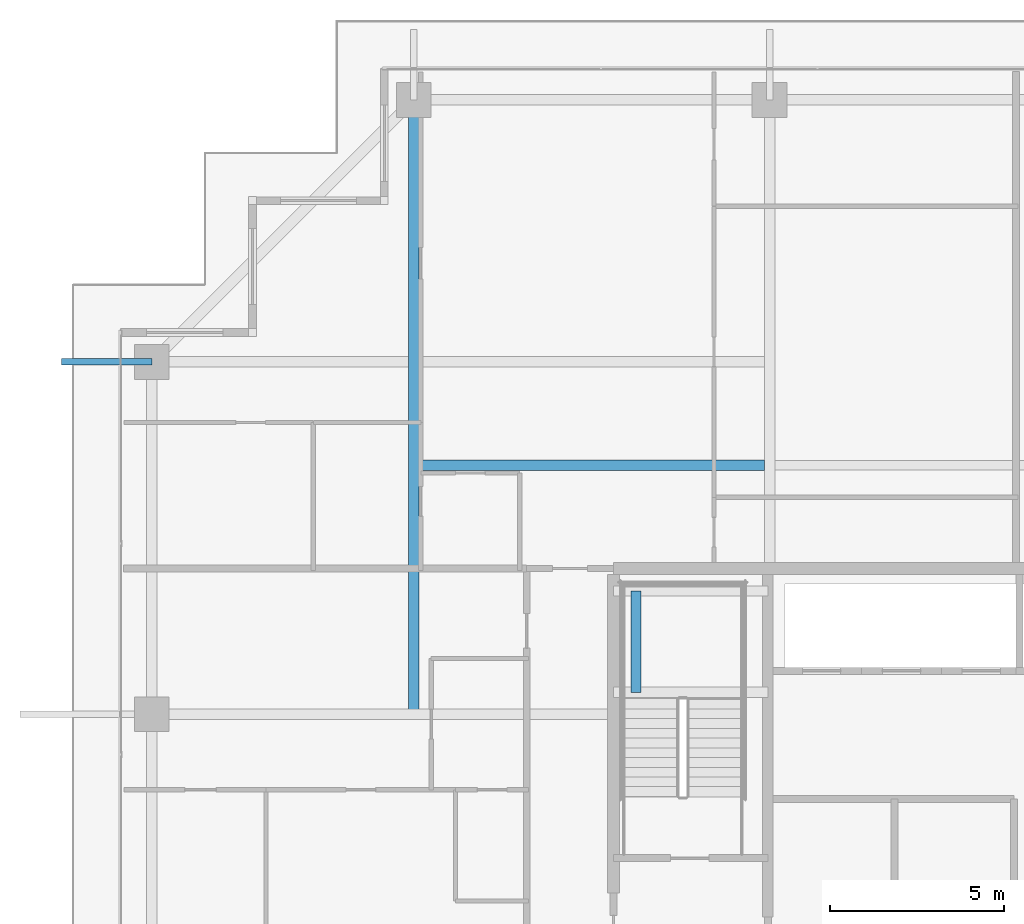
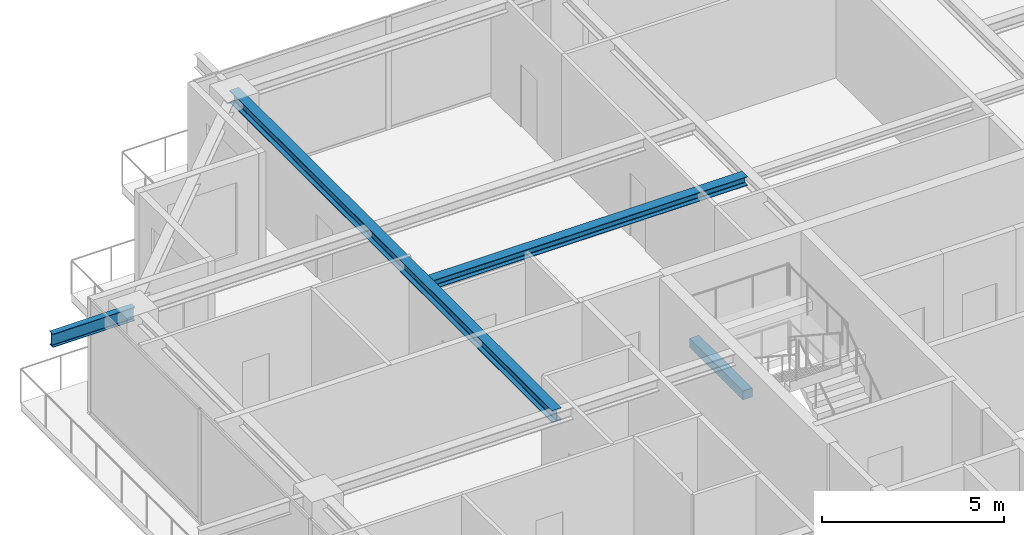
# One storey, part 19 of 41: 4 beams.
"""IFC4 building model written with IfcOpenShell, lengths in metres."""

from ifc_helpers import new_model, si_unit, direction, frame, origin, origin_2d, place, context, subcontext, project, spatial, rectangle, i_section, extrude, source, transform, mapped, material, material_profile, profile_set, type_object, element, save


model = new_model("IFC4")

# Units and contexts
model_context = context("Model", 3, precision=1e-05, world=origin(), true_north=direction((0.0, 1.0)))
body_context = subcontext(model_context, "Body", "Model", "MODEL_VIEW")
ifc_project = project(units=[si_unit("LENGTHUNIT", "METRE"), si_unit("AREAUNIT", "SQUARE_METRE"), si_unit("VOLUMEUNIT", "CUBIC_METRE"), si_unit("PLANEANGLEUNIT", "RADIAN"), si_unit("MASSUNIT", "GRAM", prefix="KILO")], contexts=[model_context])

# Site, building, storey
site_placement = place(None, origin())
site = spatial("IfcSite", under=ifc_project, at=site_placement, CompositionType="ELEMENT")
building_placement = place(site_placement, origin())
building = spatial("IfcBuilding", under=site, at=building_placement, Name="Serunith Strait Residences", CompositionType="ELEMENT")
storey_placement = place(building_placement, frame((0.0, 0.0, 301.550048828125)))
storey = spatial("IfcBuildingStorey", under=building, at=storey_placement, Name="L75", CompositionType="ELEMENT", Elevation=301.550048828125)

# Beams
ifc_material_1 = material(Name="Steel S355J2", Category="steel")
ifc_material_profile_1 = material_profile(ifc_material_1, i_section(OverallWidth=0.300048828125, OverallDepth=0.300048828125, WebThickness=0.010986328125, FlangeThickness=0.01904296875, FilletRadius=0.027099609375, at=origin_2d()), Name="HEB 300")
ifc_profile_set_1 = profile_set([ifc_material_profile_1], Name="Steel S355J2")
beam_type_1 = type_object("IfcBeamType", Name="BM-HEB300", PredefinedType="JOIST", material=ifc_profile_set_1)
shared_shape_1 = source(origin(), body_context, "Body", "SweptSolid", [
    extrude(i_section(OverallWidth=0.300048828125, OverallDepth=0.300048828125, WebThickness=0.010986328125, FlangeThickness=0.01904296875, FilletRadius=0.027099609375, at=origin_2d()), origin(), (0.0, 0.0, 1.0), 9.949951171875),
])
beam_1_placement = place(storey_placement, frame((17.800048828125, 36.574951171875, 3.636962890625), z_axis=(1.0, 0.0, 0.0), x_axis=(0.0, 1.0, 0.0)))
element("IfcBeam", 1, at=beam_1_placement, inside=storey, type_object=beam_type_1, Name="L75 Composite Floor Joist 04", PredefinedType="JOIST", context=body_context, shape_type="MappedRepresentation", body=[
    mapped(shared_shape_1, transform((0.0, 0.0, 0.0), scale=1.0)),
])
ifc_material_profile_2 = material_profile(ifc_material_1, i_section(OverallWidth=0.300048828125, OverallDepth=0.39990234375, WebThickness=0.013427734375, FlangeThickness=0.02392578125, FilletRadius=0.027099609375, at=origin_2d()), Name="HEB 400")
ifc_profile_set_2 = profile_set([ifc_material_profile_2], Name="Steel S355J2")
beam_type_2 = type_object("IfcBeamType", Name="BM-HEB400", PredefinedType="BEAM", material=ifc_profile_set_2)
shared_shape_2 = source(origin(), body_context, "Body", "SweptSolid", [
    extrude(i_section(OverallWidth=0.300048828125, OverallDepth=0.39990234375, WebThickness=0.013427734375, FlangeThickness=0.02392578125, FilletRadius=0.027099609375, at=origin_2d()), origin(), (0.0, 0.0, 1.0), 17.7001953125),
])
beam_2_placement = place(storey_placement, frame((17.64990234375, 29.39990234375, 3.5869140625), z_axis=(0.0, 1.0, 0.0), x_axis=(-1.0, 0.0, 0.0)))
element("IfcBeam", 2, at=beam_2_placement, inside=storey, type_object=beam_type_2, Name="L75 Orthogonal Corner Girder TC-N1", PredefinedType="BEAM", context=body_context, shape_type="MappedRepresentation", body=[
    mapped(shared_shape_2, transform((0.0, 0.0, 0.0), scale=1.0)),
])
ifc_material_profile_3 = material_profile(ifc_material_1, i_section(OverallWidth=0.18994140625, OverallDepth=0.449951171875, WebThickness=0.009521484375, FlangeThickness=0.0146484375, FilletRadius=0.02099609375, at=origin_2d()), Name="IPE 450")
ifc_profile_set_3 = profile_set([ifc_material_profile_3], Name="Steel S355J2")
beam_type_3 = type_object("IfcBeamType", Name="BM-IPE450", PredefinedType="JOIST", material=ifc_profile_set_3)
shared_shape_3 = source(origin(), body_context, "Body", "SweptSolid", [
    extrude(i_section(OverallWidth=0.18994140625, OverallDepth=0.449951171875, WebThickness=0.009521484375, FlangeThickness=0.0146484375, FilletRadius=0.02099609375, at=origin_2d()), origin(), (0.0, 0.0, 1.0), 2.60400390625),
])
beam_3_placement = place(storey_placement, frame((10.10009765625, 39.550048828125, 3.531982421875), z_axis=(-1.0, 0.0, 0.0), x_axis=(0.0, -1.0, 0.0)))
element("IfcBeam", 3, at=beam_3_placement, inside=storey, type_object=beam_type_3, Name="L76 Cantilevered Balcony Rib TC-W4", PredefinedType="JOIST", context=body_context, shape_type="MappedRepresentation", body=[
    mapped(shared_shape_3, transform((0.0, 0.0, 0.0), scale=1.0)),
])
ifc_material_2 = material(Name="Concrete C60/75", Category="concrete")
ifc_material_profile_4 = material_profile(ifc_material_2, rectangle(XDim=0.300048828125, YDim=0.300048828125, at=origin_2d()), Name="RC 300x300")
ifc_profile_set_4 = profile_set([ifc_material_profile_4], Name="Concrete C60/75")
beam_type_4 = type_object("IfcBeamType", Name="BM-LAND-300x300", PredefinedType="BEAM", material=ifc_profile_set_4)
shared_shape_4 = source(origin(), body_context, "Body", "SweptSolid", [
    extrude(rectangle(XDim=0.300048828125, YDim=0.300048828125, at=origin_2d()), origin(), (0.0, 0.0, 1.0), 2.919921875),
])
beam_4_placement = place(storey_placement, frame((24.050048828125, 30.030029296875, 1.675048828125), z_axis=(0.0, 1.0, 0.0), x_axis=(-1.0, 0.0, 0.0)))
element("IfcBeam", 4, at=beam_4_placement, inside=storey, type_object=beam_type_4, Name="L75 ST-1 Landing Transverse Tie Beam", PredefinedType="BEAM", context=body_context, shape_type="MappedRepresentation", body=[
    mapped(shared_shape_4, transform((0.0, 0.0, 0.0), scale=1.0)),
])

save(model, "model.ifc")
